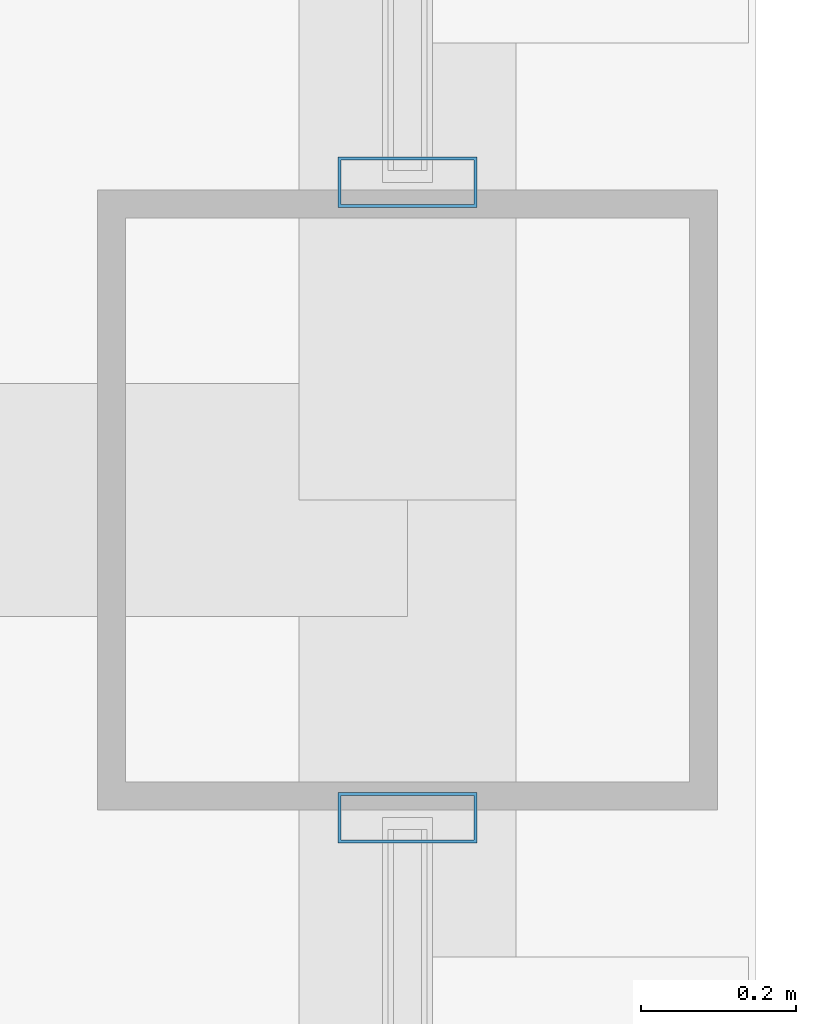
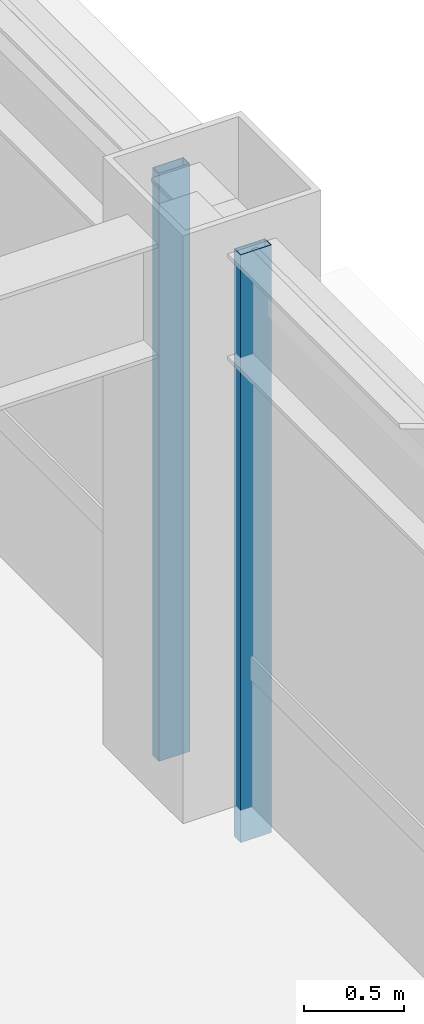
# One storey, part 17 of 28: 2 members, 2 elements without a shape of their own.
"""IFC4 building model written with IfcOpenShell, lengths in metres."""

from ifc_helpers import new_model, si_unit, direction, frame, origin, origin_2d, place, context, subcontext, project, spatial, hollow_rectangle, extrude, material, layer, layer_set, material_profile, profile_set, type_object, element, aggregate, save


model = new_model("IFC4")

# Units and contexts
model_context = context("Model", 3, precision=1e-05, world=origin(), true_north=direction((0.0, 1.0)))
body_context = subcontext(model_context, "Body", "Model", "MODEL_VIEW")
ifc_project = project(units=[si_unit("LENGTHUNIT", "METRE"), si_unit("AREAUNIT", "SQUARE_METRE"), si_unit("VOLUMEUNIT", "CUBIC_METRE"), si_unit("PLANEANGLEUNIT", "RADIAN"), si_unit("MASSUNIT", "GRAM", prefix="KILO")], contexts=[model_context])

# Site, building, storey
site_placement = place(None, origin())
site = spatial("IfcSite", under=ifc_project, at=site_placement, CompositionType="ELEMENT")
building_placement = place(site_placement, origin())
building = spatial("IfcBuilding", under=site, at=building_placement, Name="Brelmoor Portico Tower", CompositionType="ELEMENT")
storey_placement = place(building_placement, frame((0.0, 0.0, 142.199951171875)))
storey = spatial("IfcBuildingStorey", under=building, at=storey_placement, Name="L37", CompositionType="ELEMENT", Elevation=142.199951171875)

# Curtain wall, member
ifc_material = material(Name="Anodised Aluminium Alloy 6063-T6", Category="aluminium")
ifc_layer = layer(ifc_material, 0.179931640625)
ifc_layer_set = layer_set([ifc_layer], Name="Anodised Aluminium Alloy 6063-T6")
curtain_wall_type = type_object("IfcCurtainWallType", Name="CW-TOWER-Z2", PredefinedType="NOTDEFINED", material=ifc_layer_set)
curtain_wall_1_placement = place(storey_placement, origin())
curtain_wall_1 = element("IfcCurtainWall", 1, at=curtain_wall_1_placement, inside=storey, type_object=curtain_wall_type, Name="L37 Curtain Wall CW-L37-04-2", PredefinedType="NOTDEFINED")
ifc_material_profile = material_profile(ifc_material, hollow_rectangle(XDim=0.06494140625, YDim=0.179931640625, WallThickness=0.00390625, at=origin_2d()), Name="ALU MULLION 65x180")
ifc_profile_set = profile_set([ifc_material_profile], Name="Anodised Aluminium Alloy 6063-T6")
member_type = type_object("IfcMemberType", Name="MB-CW-MULL-180", PredefinedType="MULLION", material=ifc_profile_set)
member_1_placement = place(storey_placement, frame((22.550048828125, 9.340087890625, -0.199951171875), z_axis=(0.0, 0.0, 1.0), x_axis=(0.0, 1.0, 0.0)))
member_1 = element("IfcMember", 2, at=member_1_placement, type_object=member_type, Name="CW-L37-04-2 Mullion 02", PredefinedType="MULLION", context=body_context, shape_type="SweptSolid", body=[
    extrude(hollow_rectangle(XDim=0.06494140625, YDim=0.179931640625, WallThickness=0.00390625, at=origin_2d()), origin(), (0.0, 0.0, 1.0), 3.60009765625),
])
aggregate(curtain_wall_1, [member_1])

curtain_wall_2_placement = place(storey_placement, origin())
curtain_wall_2 = element("IfcCurtainWall", 3, at=curtain_wall_2_placement, inside=storey, type_object=curtain_wall_type, Name="L37 Curtain Wall CW-L37-04-3", PredefinedType="NOTDEFINED")
member_2_placement = place(storey_placement, frame((22.550048828125, 10.159912109375, -0.199951171875), z_axis=(0.0, 0.0, 1.0), x_axis=(0.0, 1.0, 0.0)))
member_2 = element("IfcMember", 4, at=member_2_placement, type_object=member_type, Name="CW-L37-04-3 Mullion 00", PredefinedType="MULLION", context=body_context, shape_type="SweptSolid", body=[
    extrude(hollow_rectangle(XDim=0.06494140625, YDim=0.179931640625, WallThickness=0.00390625, at=origin_2d()), origin(), (0.0, 0.0, 1.0), 3.60009765625),
])
aggregate(curtain_wall_2, [member_2])

save(model, "model.ifc")
